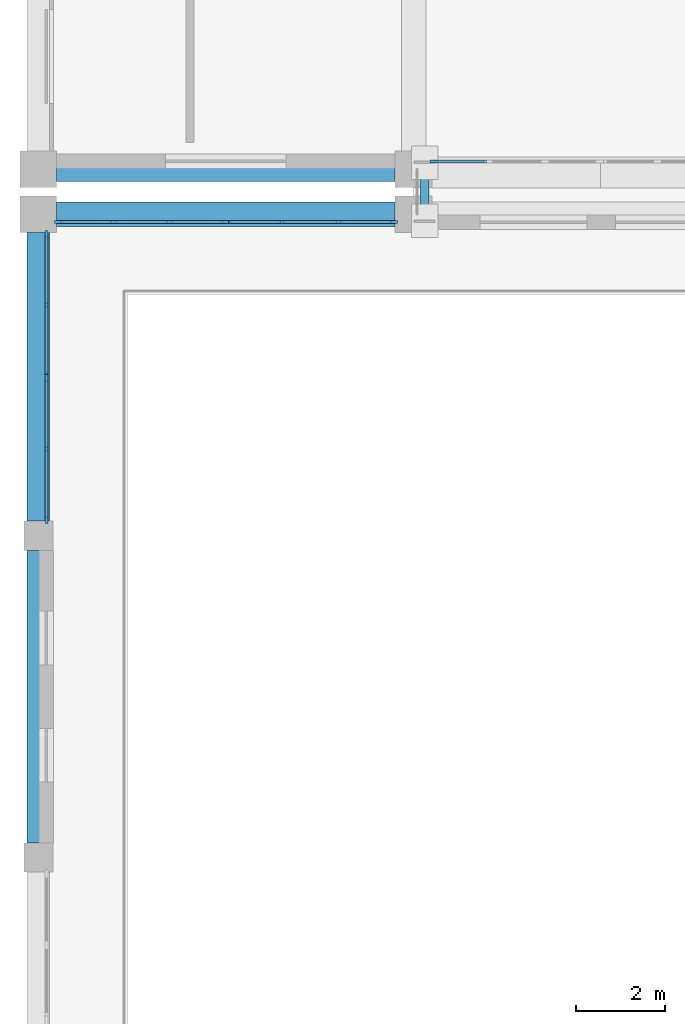
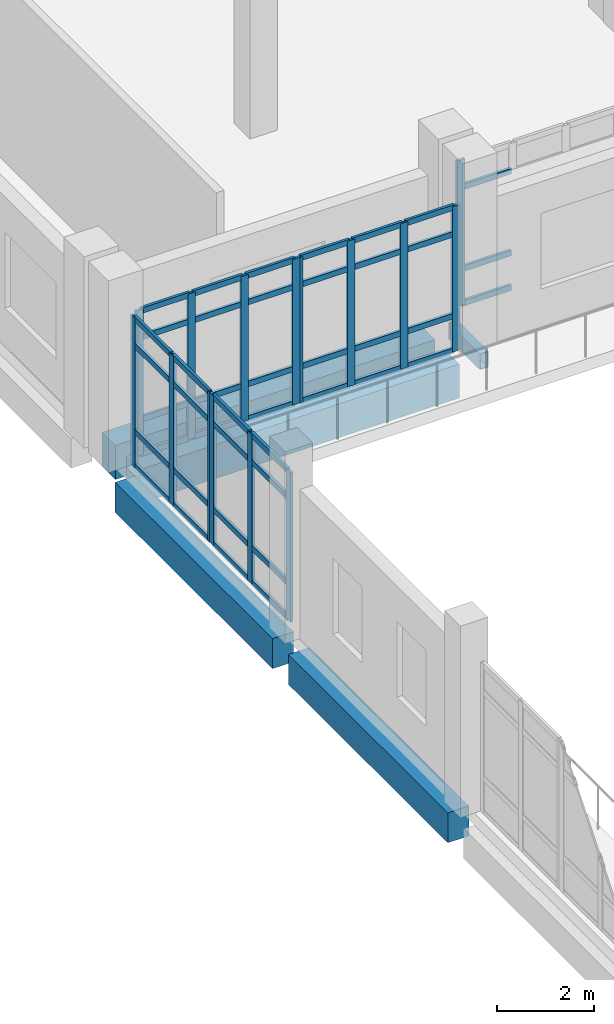
# One storey, part 4 of 90: 58 members, 5 beams, 5 elements without a shape of their own.
"""IFC4 building model written with IfcOpenShell, lengths in metres."""

import ifcopenshell
import ifcopenshell.guid

model = None  # the IFC model being written
_history = None  # IfcOwnerHistory: only IFC2X3 demands one
_inside = {}  # id of a spatial element -> (the spatial element, [elements in it])
_under = {}  # id of a project, library or spatial element -> (it, [spatial elements below it])
_declared = {}  # id of a project -> (the project, [libraries it declares])
_typed = {}  # id of a type object -> (the type object, [elements of that type])
_made_of = {}  # id of a material, layer set ... -> (it, [elements and type objects made of it])


def new_model(schema):
    """Start an empty IFC model of exactly this schema.

    Asked for "IFC4X3", IfcOpenShell would pick the latest addendum, in which some entities
    have other attributes; the version numbers below select the first issue.
    IFC2X3 requires an IfcOwnerHistory on every rooted entity: one is made here for all.
    """
    global model, _history
    if schema == "IFC4X3":
        model = ifcopenshell.file(schema_version=(4, 3, 0, 0))
    else:
        model = ifcopenshell.file(schema=schema)
    _inside.clear()
    _under.clear()
    _declared.clear()
    _typed.clear()
    _made_of.clear()
    _history = None
    if model.schema == "IFC2X3":
        org = make("IfcOrganization", Name="unknown")
        user = make(
            "IfcPersonAndOrganization",
            ThePerson=make("IfcPerson", FamilyName="unknown"),
            TheOrganization=org,
        )
        app = make(
            "IfcApplication",
            ApplicationDeveloper=org,
            Version="unknown",
            ApplicationFullName="unknown",
            ApplicationIdentifier="unknown",
        )
        _history = make(
            "IfcOwnerHistory",
            OwningUser=user,
            OwningApplication=app,
            ChangeAction="ADDED",
            CreationDate=0,
        )
    return model


def make(cls, **values):
    """One entity of the class cls with the attributes given. An attribute that is None is left unset."""
    return model.create_entity(
        cls, **{name: value for name, value in values.items() if value is not None}
    )


def rooted(cls, **values):
    """An entity with a GlobalId (a new one), such as an element, a storey or a relation."""
    return make(cls, GlobalId=ifcopenshell.guid.new(), OwnerHistory=_history, **values)


def si_unit(unit_type, name, prefix=None):
    """IfcSIUnit, for example si_unit("LENGTHUNIT", "METRE", prefix="MILLI")."""
    return make("IfcSIUnit", UnitType=unit_type, Prefix=prefix, Name=name)


def assignment(units):
    """IfcUnitAssignment: the units of a project."""
    return None if units is None else make("IfcUnitAssignment", Units=units)


def point(xyz):
    """IfcCartesianPoint."""
    return None if xyz is None else make("IfcCartesianPoint", Coordinates=xyz)


def direction(xyz):
    """IfcDirection."""
    return None if xyz is None else make("IfcDirection", DirectionRatios=xyz)


def frame(location, z_axis=None, x_axis=None):
    """IfcAxis2Placement3D, a coordinate frame: its origin and axes. An axis left out is left unset."""
    return make(
        "IfcAxis2Placement3D",
        Location=point(location),
        Axis=direction(z_axis),
        RefDirection=direction(x_axis),
    )


def frame_2d(location, x_axis=None):
    """IfcAxis2Placement2D, a coordinate frame in the plane: its origin and x axis."""
    return make(
        "IfcAxis2Placement2D", Location=point(location), RefDirection=direction(x_axis)
    )


def origin():
    """The frame at (0, 0, 0) with its axes left unset."""
    return frame((0.0, 0.0, 0.0))


def origin_2d():
    """The frame at (0, 0) in the plane with its x axis left unset."""
    return frame_2d((0.0, 0.0))


def place(relative_to, where):
    """IfcLocalPlacement: puts the frame where relative to a parent placement (None: the world)."""
    return make(
        "IfcLocalPlacement", PlacementRelTo=relative_to, RelativePlacement=where
    )


def context(
    kind, dimensions, precision=None, world=None, true_north=None, identifier=None
):
    """IfcGeometricRepresentationContext, for example the 3D "Model" context."""
    return make(
        "IfcGeometricRepresentationContext",
        ContextIdentifier=identifier,
        ContextType=kind,
        CoordinateSpaceDimension=dimensions,
        Precision=precision,
        WorldCoordinateSystem=world,
        TrueNorth=true_north,
    )


def subcontext(parent, identifier, kind, view, scale=None):
    """IfcGeometricRepresentationSubContext, for example "Body" below "Model"."""
    return make(
        "IfcGeometricRepresentationSubContext",
        ContextIdentifier=identifier,
        ContextType=kind,
        ParentContext=parent,
        TargetScale=scale,
        TargetView=view,
    )


def project(units=None, contexts=None):
    """IfcProject with its units and contexts."""
    return rooted(
        "IfcProject",
        Name="project",
        RepresentationContexts=contexts,
        UnitsInContext=assignment(units),
    )


def spatial(cls, under=None, at=None, **own):
    """A site, building, storey or space (cls), placed at a placement, below another one or the project."""
    s = rooted(cls, ObjectPlacement=at, **own)
    if under is not None:
        _under.setdefault(under.id(), (under, []))[1].append(s)
    return s


def profile(cls, at=None, kind="AREA", **sizes):
    """A parametric profile (cls). Its sizes go by their IFC names, for example OverallWidth=200.0."""
    return make(cls, ProfileType=kind, Position=at, **sizes)


def rectangle(**sizes):
    """IfcRectangleProfileDef."""
    return profile("IfcRectangleProfileDef", **sizes)


def hollow_rectangle(**sizes):
    """IfcRectangleHollowProfileDef."""
    return profile("IfcRectangleHollowProfileDef", **sizes)


def extrude(swept, where, along, depth):
    """IfcExtrudedAreaSolid: the profile swept, set in the frame where, extruded along a direction by depth."""
    return make(
        "IfcExtrudedAreaSolid",
        SweptArea=swept,
        Position=where,
        ExtrudedDirection=direction(along),
        Depth=depth,
    )


def shape(context_of_items, identifier, shape_type, items):
    """IfcShapeRepresentation: the items that make up one representation, for example the "Body"."""
    return make(
        "IfcShapeRepresentation",
        ContextOfItems=context_of_items,
        RepresentationIdentifier=identifier,
        RepresentationType=shape_type,
        Items=items,
    )


def material(Name=None, Category=None):
    """IfcMaterial."""
    return make("IfcMaterial", Name=Name, Category=Category)


def layer(
    of_material, thickness, ventilated=None, Name=None, Category=None, Priority=None
):
    """IfcMaterialLayer: one layer of a wall or slab, of a material (None: an air gap)."""
    return make(
        "IfcMaterialLayer",
        Material=of_material,
        LayerThickness=thickness,
        IsVentilated=ventilated,
        Name=Name,
        Category=Category,
        Priority=Priority,
    )


def layer_set(layers, Name=None):
    """IfcMaterialLayerSet."""
    return make("IfcMaterialLayerSet", MaterialLayers=layers, LayerSetName=Name)


def material_profile(
    of_material, cross_section, Name=None, Category=None, Priority=None
):
    """IfcMaterialProfile: a cross section and its material."""
    return make(
        "IfcMaterialProfile",
        Name=Name,
        Material=of_material,
        Profile=cross_section,
        Priority=Priority,
        Category=Category,
    )


def profile_set(profiles, Name=None, composite=None):
    """IfcMaterialProfileSet."""
    return make(
        "IfcMaterialProfileSet",
        Name=Name,
        MaterialProfiles=profiles,
        CompositeProfile=composite,
    )


def made_of(thing, what):
    """Note that an element or type object is made of a material, layer set ...; save() writes the relation."""
    if what is not None:
        _made_of.setdefault(what.id(), (what, []))[1].append(thing)
    return thing


def type_object(cls, material=None, **own):
    """A type object (cls), such as IfcWallType, which elements share."""
    return made_of(rooted(cls, **own), material)


def element(
    cls,
    number,
    at=None,
    inside=None,
    cuts=None,
    type_object=None,
    material=None,
    context=None,
    identifier="Body",
    shape_type=None,
    held_by="IfcProductDefinitionShape",
    body=None,
    shapes=None,
    **own,
):
    """One element of the class cls, such as IfcWall. Its Tag is "e" and its number.

    at: its placement. inside: the storey or other place that contains it. cuts: it is an
    opening in that element (IfcRelVoidsElement). A single representation is given by context,
    identifier, shape_type and body (its items); several are given by shapes. held_by: the class
    of the entity that holds the representations. save() writes the other relations.
    """
    e = rooted(cls, Tag="e%d" % number, ObjectPlacement=at, **own)
    if body is not None:
        shapes = [shape(context, identifier, shape_type, body)]
    if shapes is not None:
        e.Representation = make(held_by, Representations=shapes)
    if inside is not None:
        _inside.setdefault(inside.id(), (inside, []))[1].append(e)
    if cuts is not None:
        rooted(
            "IfcRelVoidsElement", RelatingBuildingElement=cuts, RelatedOpeningElement=e
        )
    if type_object is not None:
        _typed.setdefault(type_object.id(), (type_object, []))[1].append(e)
    return made_of(e, material)


def aggregate(whole, parts):
    """IfcRelAggregates: a whole, such as a stair, and the parts it consists of."""
    return rooted("IfcRelAggregates", RelatingObject=whole, RelatedObjects=parts)


def save(model, path):
    """Write the relations noted so far, then the file.

    IfcRelAggregates (storeys below a building ...), IfcRelContainedInSpatialStructure (elements
    in a storey), IfcRelDefinesByType, IfcRelAssociatesMaterial and IfcRelDeclares: one each for
    every whole, place, type object, material and project.
    """
    for whole, parts in _under.values():
        aggregate(whole, parts)
    for where, things in _inside.values():
        rooted(
            "IfcRelContainedInSpatialStructure",
            RelatedElements=things,
            RelatingStructure=where,
        )
    for kind, things in _typed.values():
        rooted("IfcRelDefinesByType", RelatedObjects=things, RelatingType=kind)
    for what, things in _made_of.values():
        rooted("IfcRelAssociatesMaterial", RelatedObjects=things, RelatingMaterial=what)
    for by, libraries in _declared.values():
        rooted("IfcRelDeclares", RelatingContext=by, RelatedDefinitions=libraries)
    model.write(path)


model = new_model("IFC4")

# Units and contexts
model_context = context("Model", 3, precision=1e-05, world=origin(), true_north=direction((0.0, 1.0)))
body_context = subcontext(model_context, "Body", "Model", "MODEL_VIEW")
ifc_project = project(units=[si_unit("LENGTHUNIT", "METRE"), si_unit("AREAUNIT", "SQUARE_METRE"), si_unit("VOLUMEUNIT", "CUBIC_METRE"), si_unit("PLANEANGLEUNIT", "RADIAN"), si_unit("MASSUNIT", "GRAM", prefix="KILO")], contexts=[model_context])

# Site, building, storey
site_placement = place(None, origin())
site = spatial("IfcSite", under=ifc_project, at=site_placement, CompositionType="ELEMENT")
building_placement = place(site_placement, origin())
building = spatial("IfcBuilding", under=site, at=building_placement, Name="Kelarvand Opera House", CompositionType="ELEMENT")
storey_placement = place(building_placement, frame((0.0, 0.0, 5.39990234375)))
storey = spatial("IfcBuildingStorey", under=building, at=storey_placement, Name="L01", CompositionType="ELEMENT", Elevation=5.39990234375)

# Curtain wall, members
ifc_material_1 = material(Name="Thermally broken aluminium and low-E glazing", Category="aluminium")
ifc_layer_1 = layer(ifc_material_1, 0.179931640625, Name="Thermally broken aluminium and low-E glazing", Category="aluminium")
ifc_layer_set_1 = layer_set([ifc_layer_1], Name="Thermally broken aluminium and low-E glazing")
curtain_wall_type_1 = type_object("IfcCurtainWallType", Name="Unitised Low-E Curtain Wall 3176x3730 Mod 1350 CWF-10", PredefinedType="USERDEFINED", material=ifc_layer_set_1)
curtain_wall_1_placement = place(storey_placement, origin())
curtain_wall_1 = element("IfcCurtainWall", 1, at=curtain_wall_1_placement, inside=storey, type_object=curtain_wall_type_1, Name="V4 L01 Curtain Wall CWF-10 (121)", ObjectType="UNITISED CURTAIN WALL", PredefinedType="USERDEFINED")
ifc_material_2 = material(Name="Thermally broken anodised aluminium", Category="aluminium")
ifc_material_profile_1 = material_profile(ifc_material_2, rectangle(XDim=0.06494140625, YDim=0.179931640625, at=origin_2d()), Name="ALU MULLION 65x180", Category="aluminium")
ifc_profile_set_1 = profile_set([ifc_material_profile_1], Name="Thermally broken anodised aluminium")
member_type_1 = type_object("IfcMemberType", Name="Curtain Wall Mullion 65x180 Aluminium", PredefinedType="MULLION", material=ifc_profile_set_1)
member_1_placement = place(storey_placement, frame((9.179931640625, 30.967529296875, 0.0), z_axis=(0.0, 0.0, 1.0), x_axis=(-1.0, 0.0, 0.0)))
member_1 = element("IfcMember", 2, at=member_1_placement, type_object=member_type_1, Name="CWF-10 mullion 1", PredefinedType="MULLION", context=body_context, shape_type="SweptSolid", body=[
    extrude(rectangle(XDim=0.06494140625, YDim=0.179931640625, at=origin_2d()), origin(), (0.0, 0.0, 1.0), 3.75),
])
member_2_placement = place(storey_placement, frame((9.179931640625, 32.544189453125, 0.0), z_axis=(0.0, 0.0, 1.0), x_axis=(-1.0, 0.0, 0.0)))
member_2 = element("IfcMember", 3, at=member_2_placement, type_object=member_type_1, Name="CWF-10 mullion 2", PredefinedType="MULLION", context=body_context, shape_type="SweptSolid", body=[
    extrude(rectangle(XDim=0.06494140625, YDim=0.179931640625, at=origin_2d()), origin(), (0.0, 0.0, 1.0), 3.75),
])
member_3_placement = place(storey_placement, frame((9.179931640625, 34.12109375, 0.0), z_axis=(0.0, 0.0, 1.0), x_axis=(-1.0, 0.0, 0.0)))
member_3 = element("IfcMember", 4, at=member_3_placement, type_object=member_type_1, Name="CWF-10 mullion 3", PredefinedType="MULLION", context=body_context, shape_type="SweptSolid", body=[
    extrude(rectangle(XDim=0.06494140625, YDim=0.179931640625, at=origin_2d()), origin(), (0.0, 0.0, 1.0), 3.75),
])

curtain_wall_2_placement = place(storey_placement, origin())
curtain_wall_2 = element("IfcCurtainWall", 5, at=curtain_wall_2_placement, inside=storey, type_object=curtain_wall_type_1, Name="V4 L01 Curtain Wall CWF-10 (122)", ObjectType="UNITISED CURTAIN WALL", PredefinedType="USERDEFINED")
member_4_placement = place(storey_placement, frame((9.179931640625, 34.18994140625, 0.0), z_axis=(0.0, 0.0, 1.0), x_axis=(-1.0, 0.0, 0.0)))
member_4 = element("IfcMember", 6, at=member_4_placement, type_object=member_type_1, Name="CWF-10 mullion 1", PredefinedType="MULLION", context=body_context, shape_type="SweptSolid", body=[
    extrude(rectangle(XDim=0.06494140625, YDim=0.179931640625, at=origin_2d()), origin(), (0.0, 0.0, 1.0), 3.75),
])
member_5_placement = place(storey_placement, frame((9.179931640625, 35.768798828125, 0.0), z_axis=(0.0, 0.0, 1.0), x_axis=(-1.0, 0.0, 0.0)))
member_5 = element("IfcMember", 7, at=member_5_placement, type_object=member_type_1, Name="CWF-10 mullion 2", PredefinedType="MULLION", context=body_context, shape_type="SweptSolid", body=[
    extrude(rectangle(XDim=0.06494140625, YDim=0.179931640625, at=origin_2d()), origin(), (0.0, 0.0, 1.0), 3.75),
])
member_6_placement = place(storey_placement, frame((9.179931640625, 37.347412109375, 0.0), z_axis=(0.0, 0.0, 1.0), x_axis=(-1.0, 0.0, 0.0)))
member_6 = element("IfcMember", 8, at=member_6_placement, type_object=member_type_1, Name="CWF-10 mullion 3", PredefinedType="MULLION", context=body_context, shape_type="SweptSolid", body=[
    extrude(rectangle(XDim=0.06494140625, YDim=0.179931640625, at=origin_2d()), origin(), (0.0, 0.0, 1.0), 3.75),
])

ifc_layer_2 = layer(ifc_material_1, 0.179931640625, Name="Thermally broken aluminium and low-E glazing", Category="aluminium")
ifc_layer_set_2 = layer_set([ifc_layer_2], Name="Thermally broken aluminium and low-E glazing")
curtain_wall_type_2 = type_object("IfcCurtainWallType", Name="Unitised Low-E Curtain Wall 3776x3650 Mod 1350 CWF-27", PredefinedType="USERDEFINED", material=ifc_layer_set_2)
curtain_wall_3_placement = place(storey_placement, origin())
curtain_wall_3 = element("IfcCurtainWall", 9, at=curtain_wall_3_placement, inside=storey, type_object=curtain_wall_type_2, Name="V4 L01 Curtain Wall CWF-27 (123)", ObjectType="UNITISED CURTAIN WALL", PredefinedType="USERDEFINED")
member_7_placement = place(storey_placement, frame((9.452392578125, 37.6201171875, 0.0), z_axis=(0.0, 0.0, 1.0), x_axis=(0.0, 1.0, 0.0)))
member_7 = element("IfcMember", 10, at=member_7_placement, type_object=member_type_1, Name="CWF-27 mullion 1", PredefinedType="MULLION", context=body_context, shape_type="SweptSolid", body=[
    extrude(rectangle(XDim=0.06494140625, YDim=0.179931640625, at=origin_2d()), origin(), (0.0, 0.0, 1.0), 3.650146484375),
])
member_8_placement = place(storey_placement, frame((10.6787109375, 37.6201171875, 0.0), z_axis=(0.0, 0.0, 1.0), x_axis=(0.0, 1.0, 0.0)))
member_8 = element("IfcMember", 11, at=member_8_placement, type_object=member_type_1, Name="CWF-27 mullion 2", PredefinedType="MULLION", context=body_context, shape_type="SweptSolid", body=[
    extrude(rectangle(XDim=0.06494140625, YDim=0.179931640625, at=origin_2d()), origin(), (0.0, 0.0, 1.0), 3.650146484375),
])
member_9_placement = place(storey_placement, frame((11.937255859375, 37.6201171875, 0.0), z_axis=(0.0, 0.0, 1.0), x_axis=(0.0, 1.0, 0.0)))
member_9 = element("IfcMember", 12, at=member_9_placement, type_object=member_type_1, Name="CWF-27 mullion 3", PredefinedType="MULLION", context=body_context, shape_type="SweptSolid", body=[
    extrude(rectangle(XDim=0.06494140625, YDim=0.179931640625, at=origin_2d()), origin(), (0.0, 0.0, 1.0), 3.650146484375),
])
member_10_placement = place(storey_placement, frame((13.16357421875, 37.6201171875, 0.0), z_axis=(0.0, 0.0, 1.0), x_axis=(0.0, 1.0, 0.0)))
member_10 = element("IfcMember", 13, at=member_10_placement, type_object=member_type_1, Name="CWF-27 mullion 4", PredefinedType="MULLION", context=body_context, shape_type="SweptSolid", body=[
    extrude(rectangle(XDim=0.06494140625, YDim=0.179931640625, at=origin_2d()), origin(), (0.0, 0.0, 1.0), 3.650146484375),
])

curtain_wall_4_placement = place(storey_placement, origin())
curtain_wall_4 = element("IfcCurtainWall", 14, at=curtain_wall_4_placement, inside=storey, type_object=curtain_wall_type_2, Name="V4 L01 Curtain Wall CWF-27 (124)", ObjectType="UNITISED CURTAIN WALL", PredefinedType="USERDEFINED")
member_11_placement = place(storey_placement, frame((13.232421875, 37.6201171875, 0.0), z_axis=(0.0, 0.0, 1.0), x_axis=(0.0, 1.0, 0.0)))
member_11 = element("IfcMember", 15, at=member_11_placement, type_object=member_type_1, Name="CWF-27 mullion 1", PredefinedType="MULLION", context=body_context, shape_type="SweptSolid", body=[
    extrude(rectangle(XDim=0.06494140625, YDim=0.179931640625, at=origin_2d()), origin(), (0.0, 0.0, 1.0), 3.650146484375),
])
member_12_placement = place(storey_placement, frame((14.4599609375, 37.6201171875, 0.0), z_axis=(0.0, 0.0, 1.0), x_axis=(0.0, 1.0, 0.0)))
member_12 = element("IfcMember", 16, at=member_12_placement, type_object=member_type_1, Name="CWF-27 mullion 2", PredefinedType="MULLION", context=body_context, shape_type="SweptSolid", body=[
    extrude(rectangle(XDim=0.06494140625, YDim=0.179931640625, at=origin_2d()), origin(), (0.0, 0.0, 1.0), 3.650146484375),
])
member_13_placement = place(storey_placement, frame((15.719970703125, 37.6201171875, 0.0), z_axis=(0.0, 0.0, 1.0), x_axis=(0.0, 1.0, 0.0)))
member_13 = element("IfcMember", 17, at=member_13_placement, type_object=member_type_1, Name="CWF-27 mullion 3", PredefinedType="MULLION", context=body_context, shape_type="SweptSolid", body=[
    extrude(rectangle(XDim=0.06494140625, YDim=0.179931640625, at=origin_2d()), origin(), (0.0, 0.0, 1.0), 3.650146484375),
])
member_14_placement = place(storey_placement, frame((16.947509765625, 37.6201171875, 0.0), z_axis=(0.0, 0.0, 1.0), x_axis=(0.0, 1.0, 0.0)))
member_14 = element("IfcMember", 18, at=member_14_placement, type_object=member_type_1, Name="CWF-27 mullion 4", PredefinedType="MULLION", context=body_context, shape_type="SweptSolid", body=[
    extrude(rectangle(XDim=0.06494140625, YDim=0.179931640625, at=origin_2d()), origin(), (0.0, 0.0, 1.0), 3.650146484375),
])

# Curtain wall, member
curtain_wall_5_placement = place(storey_placement, origin())
curtain_wall_5 = element("IfcCurtainWall", 19, at=curtain_wall_5_placement, inside=storey, type_object=curtain_wall_type_2, Name="V4 L01 Curtain Wall CWF-27 (150)", ObjectType="UNITISED CURTAIN WALL", PredefinedType="USERDEFINED")
member_15_placement = place(storey_placement, frame((17.8525390625, 38.97998046875, 0.0), z_axis=(0.0, 0.0, 1.0), x_axis=(0.0, -1.0, 0.0)))
member_15 = element("IfcMember", 20, at=member_15_placement, type_object=member_type_1, Name="CWF-27 mullion 4", PredefinedType="MULLION", context=body_context, shape_type="SweptSolid", body=[
    extrude(rectangle(XDim=0.06494140625, YDim=0.179931640625, at=origin_2d()), origin(), (0.0, 0.0, 1.0), 3.650146484375),
])

# Member
ifc_material_profile_2 = material_profile(ifc_material_2, rectangle(XDim=0.06494140625, YDim=0.139892578125, at=origin_2d()), Name="ALU TRANSOM 65x140", Category="aluminium")
ifc_profile_set_2 = profile_set([ifc_material_profile_2], Name="Thermally broken anodised aluminium")
member_type_2 = type_object("IfcMemberType", Name="Curtain Wall Transom 65x140 Aluminium", PredefinedType="USERDEFINED", material=ifc_profile_set_2)
member_16_placement = place(storey_placement, frame((9.179931640625, 31.0, 0.03271484375), z_axis=(0.0, 1.0, 0.0), x_axis=(-1.0, 0.0, 0.0)))
member_16 = element("IfcMember", 21, at=member_16_placement, type_object=member_type_2, Name="CWF-10 transom 1.1", ObjectType="TRANSOM", PredefinedType="USERDEFINED", context=body_context, shape_type="SweptSolid", body=[
    extrude(rectangle(XDim=0.06494140625, YDim=0.139892578125, at=origin_2d()), origin(), (0.0, 0.0, 1.0), 1.51171875),
])

member_17_placement = place(storey_placement, frame((9.179931640625, 31.0, 0.900146484375), z_axis=(0.0, 1.0, 0.0), x_axis=(-1.0, 0.0, 0.0)))
member_17 = element("IfcMember", 22, at=member_17_placement, type_object=member_type_2, Name="CWF-10 transom 1.2", ObjectType="TRANSOM", PredefinedType="USERDEFINED", context=body_context, shape_type="SweptSolid", body=[
    extrude(rectangle(XDim=0.06494140625, YDim=0.139892578125, at=origin_2d()), origin(), (0.0, 0.0, 1.0), 1.51171875),
])

member_18_placement = place(storey_placement, frame((9.179931640625, 31.0, 3.050048828125), z_axis=(0.0, 1.0, 0.0), x_axis=(-1.0, 0.0, 0.0)))
member_18 = element("IfcMember", 23, at=member_18_placement, type_object=member_type_2, Name="CWF-10 transom 1.3", ObjectType="TRANSOM", PredefinedType="USERDEFINED", context=body_context, shape_type="SweptSolid", body=[
    extrude(rectangle(XDim=0.06494140625, YDim=0.139892578125, at=origin_2d()), origin(), (0.0, 0.0, 1.0), 1.51171875),
])

member_19_placement = place(storey_placement, frame((9.179931640625, 31.0, 3.717529296875), z_axis=(0.0, 1.0, 0.0), x_axis=(-1.0, 0.0, 0.0)))
member_19 = element("IfcMember", 24, at=member_19_placement, type_object=member_type_2, Name="CWF-10 transom 1.4", ObjectType="TRANSOM", PredefinedType="USERDEFINED", context=body_context, shape_type="SweptSolid", body=[
    extrude(rectangle(XDim=0.06494140625, YDim=0.139892578125, at=origin_2d()), origin(), (0.0, 0.0, 1.0), 1.51171875),
])

member_20_placement = place(storey_placement, frame((9.179931640625, 32.57666015625, 0.03271484375), z_axis=(0.0, 1.0, 0.0), x_axis=(-1.0, 0.0, 0.0)))
member_20 = element("IfcMember", 25, at=member_20_placement, type_object=member_type_2, Name="CWF-10 transom 2.1", ObjectType="TRANSOM", PredefinedType="USERDEFINED", context=body_context, shape_type="SweptSolid", body=[
    extrude(rectangle(XDim=0.06494140625, YDim=0.139892578125, at=origin_2d()), origin(), (0.0, 0.0, 1.0), 1.51171875),
])

member_21_placement = place(storey_placement, frame((9.179931640625, 32.57666015625, 0.900146484375), z_axis=(0.0, 1.0, 0.0), x_axis=(-1.0, 0.0, 0.0)))
member_21 = element("IfcMember", 26, at=member_21_placement, type_object=member_type_2, Name="CWF-10 transom 2.2", ObjectType="TRANSOM", PredefinedType="USERDEFINED", context=body_context, shape_type="SweptSolid", body=[
    extrude(rectangle(XDim=0.06494140625, YDim=0.139892578125, at=origin_2d()), origin(), (0.0, 0.0, 1.0), 1.51171875),
])

member_22_placement = place(storey_placement, frame((9.179931640625, 32.57666015625, 3.050048828125), z_axis=(0.0, 1.0, 0.0), x_axis=(-1.0, 0.0, 0.0)))
member_22 = element("IfcMember", 27, at=member_22_placement, type_object=member_type_2, Name="CWF-10 transom 2.3", ObjectType="TRANSOM", PredefinedType="USERDEFINED", context=body_context, shape_type="SweptSolid", body=[
    extrude(rectangle(XDim=0.06494140625, YDim=0.139892578125, at=origin_2d()), origin(), (0.0, 0.0, 1.0), 1.51171875),
])

member_23_placement = place(storey_placement, frame((9.179931640625, 32.57666015625, 3.717529296875), z_axis=(0.0, 1.0, 0.0), x_axis=(-1.0, 0.0, 0.0)))
member_23 = element("IfcMember", 28, at=member_23_placement, type_object=member_type_2, Name="CWF-10 transom 2.4", ObjectType="TRANSOM", PredefinedType="USERDEFINED", context=body_context, shape_type="SweptSolid", body=[
    extrude(rectangle(XDim=0.06494140625, YDim=0.139892578125, at=origin_2d()), origin(), (0.0, 0.0, 1.0), 1.51171875),
])

aggregate(curtain_wall_1, [member_1, member_2, member_3, member_16, member_17, member_18, member_19, member_20, member_21, member_22, member_23])

member_24_placement = place(storey_placement, frame((9.179931640625, 34.222412109375, 0.03271484375), z_axis=(0.0, 1.0, 0.0), x_axis=(-1.0, 0.0, 0.0)))
member_24 = element("IfcMember", 29, at=member_24_placement, type_object=member_type_2, Name="CWF-10 transom 1.1", ObjectType="TRANSOM", PredefinedType="USERDEFINED", context=body_context, shape_type="SweptSolid", body=[
    extrude(rectangle(XDim=0.06494140625, YDim=0.139892578125, at=origin_2d()), origin(), (0.0, 0.0, 1.0), 1.513916015625),
])

member_25_placement = place(storey_placement, frame((9.179931640625, 34.222412109375, 0.900146484375), z_axis=(0.0, 1.0, 0.0), x_axis=(-1.0, 0.0, 0.0)))
member_25 = element("IfcMember", 30, at=member_25_placement, type_object=member_type_2, Name="CWF-10 transom 1.2", ObjectType="TRANSOM", PredefinedType="USERDEFINED", context=body_context, shape_type="SweptSolid", body=[
    extrude(rectangle(XDim=0.06494140625, YDim=0.139892578125, at=origin_2d()), origin(), (0.0, 0.0, 1.0), 1.513916015625),
])

member_26_placement = place(storey_placement, frame((9.179931640625, 34.222412109375, 3.050048828125), z_axis=(0.0, 1.0, 0.0), x_axis=(-1.0, 0.0, 0.0)))
member_26 = element("IfcMember", 31, at=member_26_placement, type_object=member_type_2, Name="CWF-10 transom 1.3", ObjectType="TRANSOM", PredefinedType="USERDEFINED", context=body_context, shape_type="SweptSolid", body=[
    extrude(rectangle(XDim=0.06494140625, YDim=0.139892578125, at=origin_2d()), origin(), (0.0, 0.0, 1.0), 1.513916015625),
])

member_27_placement = place(storey_placement, frame((9.179931640625, 34.222412109375, 3.717529296875), z_axis=(0.0, 1.0, 0.0), x_axis=(-1.0, 0.0, 0.0)))
member_27 = element("IfcMember", 32, at=member_27_placement, type_object=member_type_2, Name="CWF-10 transom 1.4", ObjectType="TRANSOM", PredefinedType="USERDEFINED", context=body_context, shape_type="SweptSolid", body=[
    extrude(rectangle(XDim=0.06494140625, YDim=0.139892578125, at=origin_2d()), origin(), (0.0, 0.0, 1.0), 1.513916015625),
])

member_28_placement = place(storey_placement, frame((9.179931640625, 35.80126953125, 0.03271484375), z_axis=(0.0, 1.0, 0.0), x_axis=(-1.0, 0.0, 0.0)))
member_28 = element("IfcMember", 33, at=member_28_placement, type_object=member_type_2, Name="CWF-10 transom 2.1", ObjectType="TRANSOM", PredefinedType="USERDEFINED", context=body_context, shape_type="SweptSolid", body=[
    extrude(rectangle(XDim=0.06494140625, YDim=0.139892578125, at=origin_2d()), origin(), (0.0, 0.0, 1.0), 1.513671875),
])

member_29_placement = place(storey_placement, frame((9.179931640625, 35.80126953125, 0.900146484375), z_axis=(0.0, 1.0, 0.0), x_axis=(-1.0, 0.0, 0.0)))
member_29 = element("IfcMember", 34, at=member_29_placement, type_object=member_type_2, Name="CWF-10 transom 2.2", ObjectType="TRANSOM", PredefinedType="USERDEFINED", context=body_context, shape_type="SweptSolid", body=[
    extrude(rectangle(XDim=0.06494140625, YDim=0.139892578125, at=origin_2d()), origin(), (0.0, 0.0, 1.0), 1.513671875),
])

member_30_placement = place(storey_placement, frame((9.179931640625, 35.80126953125, 3.050048828125), z_axis=(0.0, 1.0, 0.0), x_axis=(-1.0, 0.0, 0.0)))
member_30 = element("IfcMember", 35, at=member_30_placement, type_object=member_type_2, Name="CWF-10 transom 2.3", ObjectType="TRANSOM", PredefinedType="USERDEFINED", context=body_context, shape_type="SweptSolid", body=[
    extrude(rectangle(XDim=0.06494140625, YDim=0.139892578125, at=origin_2d()), origin(), (0.0, 0.0, 1.0), 1.513671875),
])

member_31_placement = place(storey_placement, frame((9.179931640625, 35.80126953125, 3.717529296875), z_axis=(0.0, 1.0, 0.0), x_axis=(-1.0, 0.0, 0.0)))
member_31 = element("IfcMember", 36, at=member_31_placement, type_object=member_type_2, Name="CWF-10 transom 2.4", ObjectType="TRANSOM", PredefinedType="USERDEFINED", context=body_context, shape_type="SweptSolid", body=[
    extrude(rectangle(XDim=0.06494140625, YDim=0.139892578125, at=origin_2d()), origin(), (0.0, 0.0, 1.0), 1.513671875),
])

aggregate(curtain_wall_2, [member_4, member_5, member_6, member_24, member_25, member_26, member_27, member_28, member_29, member_30, member_31])

member_32_placement = place(storey_placement, frame((9.485107421875, 37.6201171875, 0.03271484375), z_axis=(1.0, 0.0, 0.0), x_axis=(0.0, 1.0, 0.0)))
member_32 = element("IfcMember", 37, at=member_32_placement, type_object=member_type_2, Name="CWF-27 transom 1.1", ObjectType="TRANSOM", PredefinedType="USERDEFINED", context=body_context, shape_type="SweptSolid", body=[
    extrude(rectangle(XDim=0.06494140625, YDim=0.139892578125, at=origin_2d()), origin(), (0.0, 0.0, 1.0), 1.1611328125),
])

member_33_placement = place(storey_placement, frame((9.485107421875, 37.6201171875, 0.900146484375), z_axis=(1.0, 0.0, 0.0), x_axis=(0.0, 1.0, 0.0)))
member_33 = element("IfcMember", 38, at=member_33_placement, type_object=member_type_2, Name="CWF-27 transom 1.2", ObjectType="TRANSOM", PredefinedType="USERDEFINED", context=body_context, shape_type="SweptSolid", body=[
    extrude(rectangle(XDim=0.06494140625, YDim=0.139892578125, at=origin_2d()), origin(), (0.0, 0.0, 1.0), 1.1611328125),
])

member_34_placement = place(storey_placement, frame((9.485107421875, 37.6201171875, 2.9501953125), z_axis=(1.0, 0.0, 0.0), x_axis=(0.0, 1.0, 0.0)))
member_34 = element("IfcMember", 39, at=member_34_placement, type_object=member_type_2, Name="CWF-27 transom 1.3", ObjectType="TRANSOM", PredefinedType="USERDEFINED", context=body_context, shape_type="SweptSolid", body=[
    extrude(rectangle(XDim=0.06494140625, YDim=0.139892578125, at=origin_2d()), origin(), (0.0, 0.0, 1.0), 1.1611328125),
])

member_35_placement = place(storey_placement, frame((9.485107421875, 37.6201171875, 3.61767578125), z_axis=(1.0, 0.0, 0.0), x_axis=(0.0, 1.0, 0.0)))
member_35 = element("IfcMember", 40, at=member_35_placement, type_object=member_type_2, Name="CWF-27 transom 1.4", ObjectType="TRANSOM", PredefinedType="USERDEFINED", context=body_context, shape_type="SweptSolid", body=[
    extrude(rectangle(XDim=0.06494140625, YDim=0.139892578125, at=origin_2d()), origin(), (0.0, 0.0, 1.0), 1.1611328125),
])

member_36_placement = place(storey_placement, frame((10.711181640625, 37.6201171875, 0.03271484375), z_axis=(1.0, 0.0, 0.0), x_axis=(0.0, 1.0, 0.0)))
member_36 = element("IfcMember", 41, at=member_36_placement, type_object=member_type_2, Name="CWF-27 transom 2.1", ObjectType="TRANSOM", PredefinedType="USERDEFINED", context=body_context, shape_type="SweptSolid", body=[
    extrude(rectangle(XDim=0.06494140625, YDim=0.139892578125, at=origin_2d()), origin(), (0.0, 0.0, 1.0), 1.193603515625),
])

member_37_placement = place(storey_placement, frame((10.711181640625, 37.6201171875, 0.900146484375), z_axis=(1.0, 0.0, 0.0), x_axis=(0.0, 1.0, 0.0)))
member_37 = element("IfcMember", 42, at=member_37_placement, type_object=member_type_2, Name="CWF-27 transom 2.2", ObjectType="TRANSOM", PredefinedType="USERDEFINED", context=body_context, shape_type="SweptSolid", body=[
    extrude(rectangle(XDim=0.06494140625, YDim=0.139892578125, at=origin_2d()), origin(), (0.0, 0.0, 1.0), 1.193603515625),
])

member_38_placement = place(storey_placement, frame((10.711181640625, 37.6201171875, 2.9501953125), z_axis=(1.0, 0.0, 0.0), x_axis=(0.0, 1.0, 0.0)))
member_38 = element("IfcMember", 43, at=member_38_placement, type_object=member_type_2, Name="CWF-27 transom 2.3", ObjectType="TRANSOM", PredefinedType="USERDEFINED", context=body_context, shape_type="SweptSolid", body=[
    extrude(rectangle(XDim=0.06494140625, YDim=0.139892578125, at=origin_2d()), origin(), (0.0, 0.0, 1.0), 1.193603515625),
])

member_39_placement = place(storey_placement, frame((10.711181640625, 37.6201171875, 3.61767578125), z_axis=(1.0, 0.0, 0.0), x_axis=(0.0, 1.0, 0.0)))
member_39 = element("IfcMember", 44, at=member_39_placement, type_object=member_type_2, Name="CWF-27 transom 2.4", ObjectType="TRANSOM", PredefinedType="USERDEFINED", context=body_context, shape_type="SweptSolid", body=[
    extrude(rectangle(XDim=0.06494140625, YDim=0.139892578125, at=origin_2d()), origin(), (0.0, 0.0, 1.0), 1.193603515625),
])

member_40_placement = place(storey_placement, frame((11.9697265625, 37.6201171875, 0.03271484375), z_axis=(1.0, 0.0, 0.0), x_axis=(0.0, 1.0, 0.0)))
member_40 = element("IfcMember", 45, at=member_40_placement, type_object=member_type_2, Name="CWF-27 transom 3.1", ObjectType="TRANSOM", PredefinedType="USERDEFINED", context=body_context, shape_type="SweptSolid", body=[
    extrude(rectangle(XDim=0.06494140625, YDim=0.139892578125, at=origin_2d()), origin(), (0.0, 0.0, 1.0), 1.161376953125),
])

member_41_placement = place(storey_placement, frame((11.9697265625, 37.6201171875, 0.900146484375), z_axis=(1.0, 0.0, 0.0), x_axis=(0.0, 1.0, 0.0)))
member_41 = element("IfcMember", 46, at=member_41_placement, type_object=member_type_2, Name="CWF-27 transom 3.2", ObjectType="TRANSOM", PredefinedType="USERDEFINED", context=body_context, shape_type="SweptSolid", body=[
    extrude(rectangle(XDim=0.06494140625, YDim=0.139892578125, at=origin_2d()), origin(), (0.0, 0.0, 1.0), 1.161376953125),
])

member_42_placement = place(storey_placement, frame((11.9697265625, 37.6201171875, 2.9501953125), z_axis=(1.0, 0.0, 0.0), x_axis=(0.0, 1.0, 0.0)))
member_42 = element("IfcMember", 47, at=member_42_placement, type_object=member_type_2, Name="CWF-27 transom 3.3", ObjectType="TRANSOM", PredefinedType="USERDEFINED", context=body_context, shape_type="SweptSolid", body=[
    extrude(rectangle(XDim=0.06494140625, YDim=0.139892578125, at=origin_2d()), origin(), (0.0, 0.0, 1.0), 1.161376953125),
])

member_43_placement = place(storey_placement, frame((11.9697265625, 37.6201171875, 3.61767578125), z_axis=(1.0, 0.0, 0.0), x_axis=(0.0, 1.0, 0.0)))
member_43 = element("IfcMember", 48, at=member_43_placement, type_object=member_type_2, Name="CWF-27 transom 3.4", ObjectType="TRANSOM", PredefinedType="USERDEFINED", context=body_context, shape_type="SweptSolid", body=[
    extrude(rectangle(XDim=0.06494140625, YDim=0.139892578125, at=origin_2d()), origin(), (0.0, 0.0, 1.0), 1.161376953125),
])

aggregate(curtain_wall_3, [member_7, member_8, member_9, member_10, member_32, member_33, member_34, member_35, member_36, member_37, member_38, member_39, member_40, member_41, member_42, member_43])

member_44_placement = place(storey_placement, frame((13.264892578125, 37.6201171875, 0.03271484375), z_axis=(1.0, 0.0, 0.0), x_axis=(0.0, 1.0, 0.0)))
member_44 = element("IfcMember", 49, at=member_44_placement, type_object=member_type_2, Name="CWF-27 transom 1.1", ObjectType="TRANSOM", PredefinedType="USERDEFINED", context=body_context, shape_type="SweptSolid", body=[
    extrude(rectangle(XDim=0.06494140625, YDim=0.139892578125, at=origin_2d()), origin(), (0.0, 0.0, 1.0), 1.16259765625),
])

member_45_placement = place(storey_placement, frame((13.264892578125, 37.6201171875, 0.900146484375), z_axis=(1.0, 0.0, 0.0), x_axis=(0.0, 1.0, 0.0)))
member_45 = element("IfcMember", 50, at=member_45_placement, type_object=member_type_2, Name="CWF-27 transom 1.2", ObjectType="TRANSOM", PredefinedType="USERDEFINED", context=body_context, shape_type="SweptSolid", body=[
    extrude(rectangle(XDim=0.06494140625, YDim=0.139892578125, at=origin_2d()), origin(), (0.0, 0.0, 1.0), 1.16259765625),
])

member_46_placement = place(storey_placement, frame((13.264892578125, 37.6201171875, 2.9501953125), z_axis=(1.0, 0.0, 0.0), x_axis=(0.0, 1.0, 0.0)))
member_46 = element("IfcMember", 51, at=member_46_placement, type_object=member_type_2, Name="CWF-27 transom 1.3", ObjectType="TRANSOM", PredefinedType="USERDEFINED", context=body_context, shape_type="SweptSolid", body=[
    extrude(rectangle(XDim=0.06494140625, YDim=0.139892578125, at=origin_2d()), origin(), (0.0, 0.0, 1.0), 1.16259765625),
])

member_47_placement = place(storey_placement, frame((13.264892578125, 37.6201171875, 3.61767578125), z_axis=(1.0, 0.0, 0.0), x_axis=(0.0, 1.0, 0.0)))
member_47 = element("IfcMember", 52, at=member_47_placement, type_object=member_type_2, Name="CWF-27 transom 1.4", ObjectType="TRANSOM", PredefinedType="USERDEFINED", context=body_context, shape_type="SweptSolid", body=[
    extrude(rectangle(XDim=0.06494140625, YDim=0.139892578125, at=origin_2d()), origin(), (0.0, 0.0, 1.0), 1.16259765625),
])

member_48_placement = place(storey_placement, frame((14.492431640625, 37.6201171875, 0.03271484375), z_axis=(1.0, 0.0, 0.0), x_axis=(0.0, 1.0, 0.0)))
member_48 = element("IfcMember", 53, at=member_48_placement, type_object=member_type_2, Name="CWF-27 transom 2.1", ObjectType="TRANSOM", PredefinedType="USERDEFINED", context=body_context, shape_type="SweptSolid", body=[
    extrude(rectangle(XDim=0.06494140625, YDim=0.139892578125, at=origin_2d()), origin(), (0.0, 0.0, 1.0), 1.195068359375),
])

member_49_placement = place(storey_placement, frame((14.492431640625, 37.6201171875, 0.900146484375), z_axis=(1.0, 0.0, 0.0), x_axis=(0.0, 1.0, 0.0)))
member_49 = element("IfcMember", 54, at=member_49_placement, type_object=member_type_2, Name="CWF-27 transom 2.2", ObjectType="TRANSOM", PredefinedType="USERDEFINED", context=body_context, shape_type="SweptSolid", body=[
    extrude(rectangle(XDim=0.06494140625, YDim=0.139892578125, at=origin_2d()), origin(), (0.0, 0.0, 1.0), 1.195068359375),
])

member_50_placement = place(storey_placement, frame((14.492431640625, 37.6201171875, 2.9501953125), z_axis=(1.0, 0.0, 0.0), x_axis=(0.0, 1.0, 0.0)))
member_50 = element("IfcMember", 55, at=member_50_placement, type_object=member_type_2, Name="CWF-27 transom 2.3", ObjectType="TRANSOM", PredefinedType="USERDEFINED", context=body_context, shape_type="SweptSolid", body=[
    extrude(rectangle(XDim=0.06494140625, YDim=0.139892578125, at=origin_2d()), origin(), (0.0, 0.0, 1.0), 1.195068359375),
])

member_51_placement = place(storey_placement, frame((14.492431640625, 37.6201171875, 3.61767578125), z_axis=(1.0, 0.0, 0.0), x_axis=(0.0, 1.0, 0.0)))
member_51 = element("IfcMember", 56, at=member_51_placement, type_object=member_type_2, Name="CWF-27 transom 2.4", ObjectType="TRANSOM", PredefinedType="USERDEFINED", context=body_context, shape_type="SweptSolid", body=[
    extrude(rectangle(XDim=0.06494140625, YDim=0.139892578125, at=origin_2d()), origin(), (0.0, 0.0, 1.0), 1.195068359375),
])

member_52_placement = place(storey_placement, frame((15.75244140625, 37.6201171875, 0.03271484375), z_axis=(1.0, 0.0, 0.0), x_axis=(0.0, 1.0, 0.0)))
member_52 = element("IfcMember", 57, at=member_52_placement, type_object=member_type_2, Name="CWF-27 transom 3.1", ObjectType="TRANSOM", PredefinedType="USERDEFINED", context=body_context, shape_type="SweptSolid", body=[
    extrude(rectangle(XDim=0.06494140625, YDim=0.139892578125, at=origin_2d()), origin(), (0.0, 0.0, 1.0), 1.16259765625),
])

member_53_placement = place(storey_placement, frame((15.75244140625, 37.6201171875, 0.900146484375), z_axis=(1.0, 0.0, 0.0), x_axis=(0.0, 1.0, 0.0)))
member_53 = element("IfcMember", 58, at=member_53_placement, type_object=member_type_2, Name="CWF-27 transom 3.2", ObjectType="TRANSOM", PredefinedType="USERDEFINED", context=body_context, shape_type="SweptSolid", body=[
    extrude(rectangle(XDim=0.06494140625, YDim=0.139892578125, at=origin_2d()), origin(), (0.0, 0.0, 1.0), 1.16259765625),
])

member_54_placement = place(storey_placement, frame((15.75244140625, 37.6201171875, 2.9501953125), z_axis=(1.0, 0.0, 0.0), x_axis=(0.0, 1.0, 0.0)))
member_54 = element("IfcMember", 59, at=member_54_placement, type_object=member_type_2, Name="CWF-27 transom 3.3", ObjectType="TRANSOM", PredefinedType="USERDEFINED", context=body_context, shape_type="SweptSolid", body=[
    extrude(rectangle(XDim=0.06494140625, YDim=0.139892578125, at=origin_2d()), origin(), (0.0, 0.0, 1.0), 1.16259765625),
])

member_55_placement = place(storey_placement, frame((15.75244140625, 37.6201171875, 3.61767578125), z_axis=(1.0, 0.0, 0.0), x_axis=(0.0, 1.0, 0.0)))
member_55 = element("IfcMember", 60, at=member_55_placement, type_object=member_type_2, Name="CWF-27 transom 3.4", ObjectType="TRANSOM", PredefinedType="USERDEFINED", context=body_context, shape_type="SweptSolid", body=[
    extrude(rectangle(XDim=0.06494140625, YDim=0.139892578125, at=origin_2d()), origin(), (0.0, 0.0, 1.0), 1.16259765625),
])

aggregate(curtain_wall_4, [member_11, member_12, member_13, member_14, member_44, member_45, member_46, member_47, member_48, member_49, member_50, member_51, member_52, member_53, member_54, member_55])

member_56_placement = place(storey_placement, frame((19.047607421875, 38.97998046875, 0.03271484375), z_axis=(-1.0, 0.0, 0.0), x_axis=(0.0, -1.0, 0.0)))
member_56 = element("IfcMember", 61, at=member_56_placement, type_object=member_type_2, Name="CWF-27 transom 3.1", ObjectType="TRANSOM", PredefinedType="USERDEFINED", context=body_context, shape_type="SweptSolid", body=[
    extrude(rectangle(XDim=0.06494140625, YDim=0.139892578125, at=origin_2d()), origin(), (0.0, 0.0, 1.0), 1.16259765625),
])

member_57_placement = place(storey_placement, frame((19.047607421875, 38.97998046875, 0.900146484375), z_axis=(-1.0, 0.0, 0.0), x_axis=(0.0, -1.0, 0.0)))
member_57 = element("IfcMember", 62, at=member_57_placement, type_object=member_type_2, Name="CWF-27 transom 3.2", ObjectType="TRANSOM", PredefinedType="USERDEFINED", context=body_context, shape_type="SweptSolid", body=[
    extrude(rectangle(XDim=0.06494140625, YDim=0.139892578125, at=origin_2d()), origin(), (0.0, 0.0, 1.0), 1.16259765625),
])

member_58_placement = place(storey_placement, frame((19.047607421875, 38.97998046875, 2.9501953125), z_axis=(-1.0, 0.0, 0.0), x_axis=(0.0, -1.0, 0.0)))
member_58 = element("IfcMember", 63, at=member_58_placement, type_object=member_type_2, Name="CWF-27 transom 3.3", ObjectType="TRANSOM", PredefinedType="USERDEFINED", context=body_context, shape_type="SweptSolid", body=[
    extrude(rectangle(XDim=0.06494140625, YDim=0.139892578125, at=origin_2d()), origin(), (0.0, 0.0, 1.0), 1.16259765625),
])

aggregate(curtain_wall_5, [member_15, member_56, member_57, member_58])

# Beams
ifc_material_3 = material(Name="Concrete C40/50", Category="concrete")
ifc_material_profile_3 = material_profile(ifc_material_3, rectangle(XDim=0.550048828125, YDim=0.85009765625, at=origin_2d()), Name="RC 550x850", Category="concrete")
ifc_profile_set_3 = profile_set([ifc_material_profile_3], Name="Concrete C40/50")
beam_type_1 = type_object("IfcBeamType", Name="Structural Beam RC 550x850 BM-RC550x850", PredefinedType="BEAM", material=ifc_profile_set_3)
for number, where, z_axis, x_axis, name in (
    (64, (9.409912109375, 37.800048828125, -0.724853515625), (1.0, 0.0, 0.0), (0.0, 1.0, 0.0), "V4 L01 Beam BM-RC550x850"),
    (65, (9.409912109375, 38.800048828125, -0.724853515625), (1.0, 0.0, 0.0), (0.0, 1.0, 0.0), "V4 L01 Beam BM-RC550x850"),
):
    element("IfcBeam", number, at=place(storey_placement, frame(where, z_axis=z_axis, x_axis=x_axis)), inside=storey, type_object=beam_type_1, Name=name, PredefinedType="BEAM", context=body_context, shape_type="SweptSolid", body=[
        extrude(rectangle(XDim=0.550048828125, YDim=0.85009765625, at=origin_2d()), origin(), (0.0, 0.0, 1.0), 7.580078125),
    ])
ifc_material_4 = material(Name="Steel S355", Category="steel")
ifc_material_profile_4 = material_profile(ifc_material_4, hollow_rectangle(XDim=0.199951171875, YDim=0.39990234375, WallThickness=0.01611328125, at=origin_2d()), Name="RHS 400x200x16.0", Category="steel")
ifc_profile_set_4 = profile_set([ifc_material_profile_4], Name="Steel S355")
beam_type_2 = type_object("IfcBeamType", Name="Structural Beam RHS 400x200x16.0 BM-RHS400", PredefinedType="BEAM", material=ifc_profile_set_4)
beam_1_placement = place(storey_placement, frame((17.64990234375, 37.64990234375, -0.52001953125), z_axis=(0.0, 1.0, 0.0), x_axis=(-1.0, 0.0, 0.0)))
element("IfcBeam", 66, at=beam_1_placement, inside=storey, type_object=beam_type_2, Name="Seismic Sliding Corbel Beam BR-JS-W L01 1", PredefinedType="BEAM", context=body_context, shape_type="SweptSolid", body=[
    extrude(hollow_rectangle(XDim=0.199951171875, YDim=0.39990234375, WallThickness=0.01611328125, at=origin_2d()), origin(), (0.0, 0.0, 1.0), 1.300048828125),
])
ifc_material_profile_5 = material_profile(ifc_material_3, rectangle(XDim=0.5, YDim=0.75, at=origin_2d()), Name="RC 500x750", Category="concrete")
ifc_profile_set_5 = profile_set([ifc_material_profile_5], Name="Concrete C40/50")
beam_type_3 = type_object("IfcBeamType", Name="Structural Spandrel RC 500x750 SP-RC500x750E", PredefinedType="SPANDREL", material=ifc_profile_set_5)
beam_2_placement = place(storey_placement, frame((9.0, 23.72509765625, -0.6748046875), z_axis=(0.0, 1.0, 0.0), x_axis=(-1.0, 0.0, 0.0)))
element("IfcBeam", 67, at=beam_2_placement, inside=storey, type_object=beam_type_3, Name="V4 L01 Beam SP-RC500x750E", PredefinedType="SPANDREL", context=body_context, shape_type="SweptSolid", body=[
    extrude(rectangle(XDim=0.5, YDim=0.75, at=origin_2d()), origin(), (0.0, 0.0, 1.0), 6.5498046875),
])
beam_3_placement = place(storey_placement, frame((9.0, 30.925048828125, -0.6748046875), z_axis=(0.0, 1.0, 0.0), x_axis=(-1.0, 0.0, 0.0)))
element("IfcBeam", 68, at=beam_3_placement, inside=storey, type_object=beam_type_3, Name="V4 L01 Beam SP-RC500x750E", PredefinedType="SPANDREL", context=body_context, shape_type="SweptSolid", body=[
    extrude(rectangle(XDim=0.5, YDim=0.75, at=origin_2d()), origin(), (0.0, 0.0, 1.0), 6.46484375),
])

save(model, "model.ifc")
